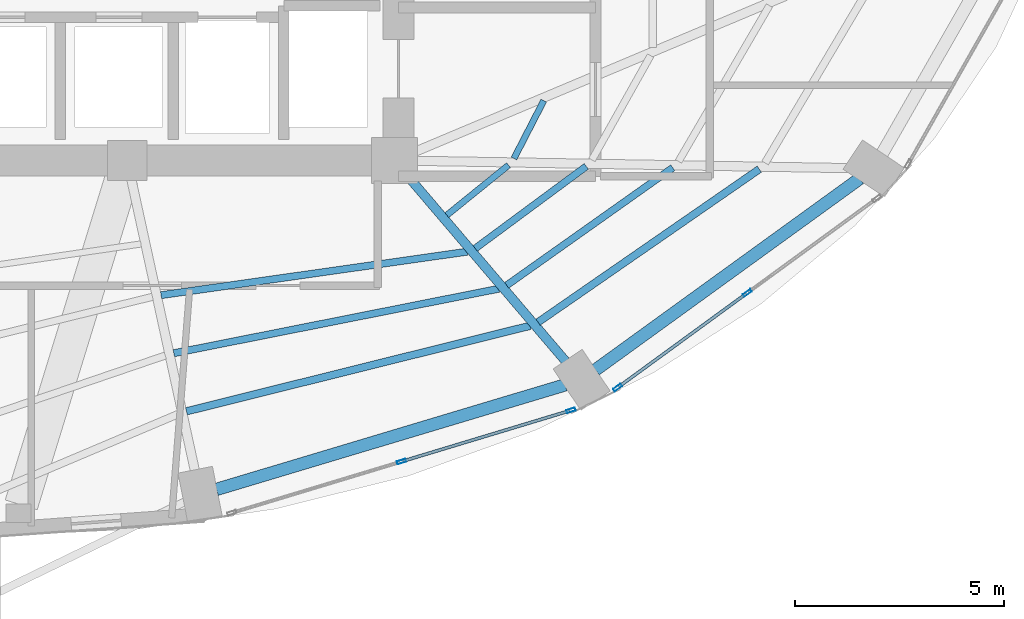
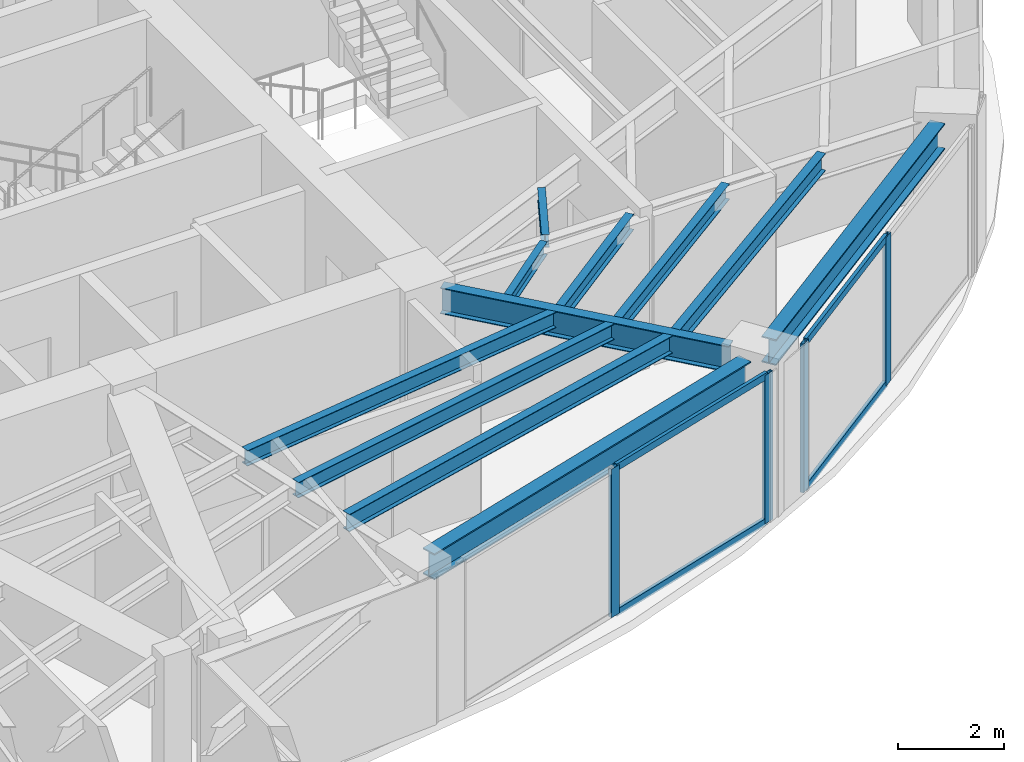
# One storey, part 10 of 23: 11 beams, 8 members, 2 elements without a shape of their own.
"""IFC4 building model written with IfcOpenShell, lengths in metres."""

from ifc_helpers import new_model, si_unit, direction, frame, origin, origin_2d, place, context, subcontext, project, spatial, hollow_rectangle, i_section, extrude, material, layer, layer_set, material_profile, profile_set, type_object, element, aggregate, save


model = new_model("IFC4")

# Units and contexts
model_context = context("Model", 3, precision=1e-05, world=origin(), true_north=direction((0.0, 1.0)))
body_context = subcontext(model_context, "Body", "Model", "MODEL_VIEW")
ifc_project = project(units=[si_unit("LENGTHUNIT", "METRE"), si_unit("AREAUNIT", "SQUARE_METRE"), si_unit("VOLUMEUNIT", "CUBIC_METRE"), si_unit("PLANEANGLEUNIT", "RADIAN"), si_unit("MASSUNIT", "GRAM", prefix="KILO")], contexts=[model_context])

# Site, building, storey
site_placement = place(None, origin())
site = spatial("IfcSite", under=ifc_project, at=site_placement, CompositionType="ELEMENT")
building_placement = place(site_placement, origin())
building = spatial("IfcBuilding", under=site, at=building_placement, Name="Lazwardi Medical Tower", CompositionType="ELEMENT")
storey_placement = place(building_placement, frame((0.0, 0.0, 85.39208984375)))
storey = spatial("IfcBuildingStorey", under=building, at=storey_placement, Name="L21", CompositionType="ELEMENT", Elevation=85.39208984375)

# Beams
ifc_material_1 = material(Name="Steel S355", Category="steel")
ifc_material_profile_1 = material_profile(ifc_material_1, i_section(OverallWidth=0.300048828125, OverallDepth=0.60009765625, WebThickness=0.015380859375, FlangeThickness=0.030029296875, at=origin_2d()), Name="HEB 600")
ifc_profile_set_1 = profile_set([ifc_material_profile_1], Name="Steel S355")
beam_type_1 = type_object("IfcBeamType", Name="BM-RB-Z2", PredefinedType="BEAM", material=ifc_profile_set_1)
beam_1_placement = place(storey_placement, frame((41.338134765625, 12.5205078125, 3.1279296875), z_axis=(0.957879438442, 0.287170648587, 0.0), x_axis=(-0.287170648587, 0.957879438442, 0.0)))
element("IfcBeam", 1, at=beam_1_placement, inside=storey, type_object=beam_type_1, Name="Ring beam RB-03 B01 L21", PredefinedType="BEAM", context=body_context, shape_type="SweptSolid", body=[
    extrude(i_section(OverallWidth=0.300048828125, OverallDepth=0.60009765625, WebThickness=0.015380859375, FlangeThickness=0.030029296875, at=origin_2d()), origin(), (0.0, 0.0, 1.0), 8.719970703125),
])
beam_2_placement = place(storey_placement, frame((50.415771484375, 15.3828125, 3.1279296875), z_axis=(0.810041907649, 0.586371987609, 0.0), x_axis=(-0.586371987609, 0.810041907649, 0.0)))
element("IfcBeam", 2, at=beam_2_placement, inside=storey, type_object=beam_type_1, Name="Ring beam RB-03 B02 L21", PredefinedType="BEAM", context=body_context, shape_type="SweptSolid", body=[
    extrude(i_section(OverallWidth=0.300048828125, OverallDepth=0.60009765625, WebThickness=0.015380859375, FlangeThickness=0.030029296875, at=origin_2d()), origin(), (0.0, 0.0, 1.0), 7.814208984375),
])
ifc_material_profile_2 = material_profile(ifc_material_1, i_section(OverallWidth=0.219970703125, OverallDepth=0.60009765625, WebThickness=0.011962890625, FlangeThickness=0.01904296875, at=origin_2d()), Name="IPE 600")
ifc_profile_set_2 = profile_set([ifc_material_profile_2], Name="Steel S355")
beam_type_2 = type_object("IfcBeamType", Name="BM-RG-W1", PredefinedType="BEAM", material=ifc_profile_set_2)
beam_3_placement = place(storey_placement, frame((49.707275390625, 15.583740234375, 3.1279296875), z_axis=(-0.648870567436, 0.760898801889, 0.0), x_axis=(-0.760898801889, -0.648870567436, 0.0)))
element("IfcBeam", 3, at=beam_3_placement, inside=storey, type_object=beam_type_2, Name="Radial girder RG-02 R02 L21", PredefinedType="BEAM", context=body_context, shape_type="SweptSolid", body=[
    extrude(i_section(OverallWidth=0.219970703125, OverallDepth=0.60009765625, WebThickness=0.011962890625, FlangeThickness=0.01904296875, at=origin_2d()), origin(), (0.0, 0.0, 1.0), 5.794677734375),
])
ifc_material_profile_3 = material_profile(ifc_material_1, i_section(OverallWidth=0.179931640625, OverallDepth=0.39990234375, WebThickness=0.008544921875, FlangeThickness=0.013427734375, at=origin_2d()), Name="IPE 400")
ifc_profile_set_3 = profile_set([ifc_material_profile_3], Name="Steel S355")
beam_type_3 = type_object("IfcBeamType", Name="BM-SJ-01", PredefinedType="JOIST", material=ifc_profile_set_3)
beam_4_placement = place(storey_placement, frame((40.618896484375, 14.390869140625, 3.22802734375), z_axis=(0.970400881943, 0.241499748081, 0.0), x_axis=(-0.241499748081, 0.970400881943, 0.0)))
element("IfcBeam", 4, at=beam_4_placement, inside=storey, type_object=beam_type_3, Name="Secondary joist SJ-01 R1 B01 L21", PredefinedType="JOIST", context=body_context, shape_type="SweptSolid", body=[
    extrude(i_section(OverallWidth=0.179931640625, OverallDepth=0.39990234375, WebThickness=0.008544921875, FlangeThickness=0.013427734375, at=origin_2d()), origin(), (0.0, 0.0, 1.0), 8.48583984375),
])
beam_5_placement = place(storey_placement, frame((49.04150390625, 16.525390625, 3.22802734375), z_axis=(0.822376339068, 0.568943896128, 0.0), x_axis=(-0.568943896128, 0.822376339068, 0.0)))
element("IfcBeam", 5, at=beam_5_placement, inside=storey, type_object=beam_type_3, Name="Secondary joist SJ-01 R1 B02 L21", PredefinedType="JOIST", context=body_context, shape_type="SweptSolid", body=[
    extrude(i_section(OverallWidth=0.179931640625, OverallDepth=0.39990234375, WebThickness=0.008544921875, FlangeThickness=0.013427734375, at=origin_2d()), origin(), (0.0, 0.0, 1.0), 6.44189453125),
])
ifc_material_profile_4 = material_profile(ifc_material_1, i_section(OverallWidth=0.169921875, OverallDepth=0.360107421875, WebThickness=0.008056640625, FlangeThickness=0.0126953125, at=origin_2d()), Name="IPE 360")
ifc_profile_set_4 = profile_set([ifc_material_profile_4], Name="Steel S355")
beam_type_4 = type_object("IfcBeamType", Name="BM-SJ-02", PredefinedType="JOIST", material=ifc_profile_set_4)
beam_6_placement = place(storey_placement, frame((40.315185546875, 15.7822265625, 3.247802734375), z_axis=(0.980878853282, 0.194619308352, 0.0), x_axis=(-0.194619308352, 0.980878853282, 0.0)))
element("IfcBeam", 6, at=beam_6_placement, inside=storey, type_object=beam_type_4, Name="Secondary joist SJ-02 R2 B01 L21", PredefinedType="JOIST", context=body_context, shape_type="SweptSolid", body=[
    extrude(i_section(OverallWidth=0.169921875, OverallDepth=0.360107421875, WebThickness=0.008056640625, FlangeThickness=0.0126953125, at=origin_2d()), origin(), (0.0, 0.0, 1.0), 7.93701171875),
])
beam_7_placement = place(storey_placement, frame((48.2890625, 17.408203125, 3.247802734375), z_axis=(0.816156371539, 0.577831097464, 0.0), x_axis=(-0.577831097464, 0.816156371539, 0.0)))
element("IfcBeam", 7, at=beam_7_placement, inside=storey, type_object=beam_type_4, Name="Secondary joist SJ-02 R2 B02 L21", PredefinedType="JOIST", context=body_context, shape_type="SweptSolid", body=[
    extrude(i_section(OverallWidth=0.169921875, OverallDepth=0.360107421875, WebThickness=0.008056640625, FlangeThickness=0.0126953125, at=origin_2d()), origin(), (0.0, 0.0, 1.0), 4.8740234375),
])
beam_8_placement = place(storey_placement, frame((40.011474609375, 17.1728515625, 3.247802734375), z_axis=(0.990067108571, 0.140595592128, 0.0), x_axis=(-0.140595592128, 0.990067108571, 0.0)))
element("IfcBeam", 8, at=beam_8_placement, inside=storey, type_object=beam_type_4, Name="Secondary joist SJ-02 R3 B01 L21", PredefinedType="JOIST", context=body_context, shape_type="SweptSolid", body=[
    extrude(i_section(OverallWidth=0.169921875, OverallDepth=0.360107421875, WebThickness=0.008056640625, FlangeThickness=0.0126953125, at=origin_2d()), origin(), (0.0, 0.0, 1.0), 7.409423828125),
])
beam_9_placement = place(storey_placement, frame((47.53564453125, 18.291748046875, 3.247802734375), z_axis=(0.804125525058, 0.594459536008, 0.0), x_axis=(-0.594459536008, 0.804125525058, 0.0)))
element("IfcBeam", 9, at=beam_9_placement, inside=storey, type_object=beam_type_4, Name="Secondary joist SJ-02 R3 B02 L21", PredefinedType="JOIST", context=body_context, shape_type="SweptSolid", body=[
    extrude(i_section(OverallWidth=0.169921875, OverallDepth=0.360107421875, WebThickness=0.008056640625, FlangeThickness=0.0126953125, at=origin_2d()), origin(), (0.0, 0.0, 1.0), 3.30810546875),
])
ifc_material_profile_5 = material_profile(ifc_material_1, i_section(OverallWidth=0.14990234375, OverallDepth=0.300048828125, WebThickness=0.007080078125, FlangeThickness=0.0107421875, at=origin_2d()), Name="IPE 300")
ifc_profile_set_5 = profile_set([ifc_material_profile_5], Name="Steel S355")
beam_type_5 = type_object("IfcBeamType", Name="BM-SJ-03", PredefinedType="JOIST", material=ifc_profile_set_5)
beam_10_placement = place(storey_placement, frame((46.85595703125, 19.089111328125, 3.27783203125), z_axis=(0.77695773322, 0.629552762515, 0.0), x_axis=(-0.629552762515, 0.77695773322, 0.0)))
element("IfcBeam", 10, at=beam_10_placement, inside=storey, type_object=beam_type_5, Name="Secondary joist SJ-03 R4 B02 L21", PredefinedType="JOIST", context=body_context, shape_type="SweptSolid", body=[
    extrude(i_section(OverallWidth=0.14990234375, OverallDepth=0.300048828125, WebThickness=0.007080078125, FlangeThickness=0.0107421875, at=origin_2d()), origin(), (0.0, 0.0, 1.0), 1.9013671875),
])
beam_11_placement = place(storey_placement, frame((48.462890625, 20.445556640625, 3.27783203125), z_axis=(0.457956589674, 0.888974556427, 0.0), x_axis=(-0.888974556427, 0.457956589674, 0.0)))
element("IfcBeam", 11, at=beam_11_placement, inside=storey, type_object=beam_type_5, Name="Secondary joist SJ-03 R4 B03 L21", PredefinedType="JOIST", context=body_context, shape_type="SweptSolid", body=[
    extrude(i_section(OverallWidth=0.14990234375, OverallDepth=0.300048828125, WebThickness=0.007080078125, FlangeThickness=0.0107421875, at=origin_2d()), origin(), (0.0, 0.0, 1.0), 1.558837890625),
])

# Curtain wall, members
ifc_material_2 = material(Name="Anodised bronze aluminium and solar control glazing", Category="aluminium")
ifc_layer = layer(ifc_material_2, 0.195068359375)
ifc_layer_set = layer_set([ifc_layer], Name="Anodised bronze aluminium and solar control glazing")
curtain_wall_type = type_object("IfcCurtainWallType", Name="CW-SYS-03", PredefinedType="NOTDEFINED", material=ifc_layer_set)
curtain_wall_1_placement = place(storey_placement, origin())
curtain_wall_1 = element("IfcCurtainWall", 12, at=curtain_wall_1_placement, inside=storey, type_object=curtain_wall_type, Name="L21 Unitised bronze curtain wall CW-03", PredefinedType="NOTDEFINED")
ifc_material_3 = material(Name="Anodised bronze aluminium", Category="aluminium")
ifc_material_profile_6 = material_profile(ifc_material_3, hollow_rectangle(XDim=0.074951171875, YDim=0.219970703125, WallThickness=0.00390625, at=origin_2d()), Name="ALU-MULLION 220x75x4")
ifc_profile_set_6 = profile_set([ifc_material_profile_6], Name="Anodised bronze aluminium")
member_type_1 = type_object("IfcMemberType", Name="CW-MUL-01", PredefinedType="MULLION", material=ifc_profile_set_6)
member_1_placement = place(storey_placement, frame((45.769287109375, 13.18701171875, 0.0), z_axis=(0.0, 0.0, 1.0), x_axis=(-0.28937381157, 0.957216170558, 0.0)))
member_1 = element("IfcMember", 13, at=member_1_placement, type_object=member_type_1, Name="CW-03 mullion 2", PredefinedType="MULLION", context=body_context, shape_type="SweptSolid", body=[
    extrude(hollow_rectangle(XDim=0.074951171875, YDim=0.219970703125, WallThickness=0.00390625, at=origin_2d()), origin(), (0.0, 0.0, 1.0), 3.427978515625),
])
member_2_placement = place(storey_placement, frame((49.828369140625, 14.4140625, 0.0), z_axis=(0.0, 0.0, 1.0), x_axis=(-0.28937381157, 0.957216170558, 0.0)))
member_2 = element("IfcMember", 14, at=member_2_placement, type_object=member_type_1, Name="CW-03 mullion 3", PredefinedType="MULLION", context=body_context, shape_type="SweptSolid", body=[
    extrude(hollow_rectangle(XDim=0.074951171875, YDim=0.219970703125, WallThickness=0.00390625, at=origin_2d()), origin(), (0.0, 0.0, 1.0), 3.427978515625),
])

curtain_wall_2_placement = place(storey_placement, origin())
curtain_wall_2 = element("IfcCurtainWall", 15, at=curtain_wall_2_placement, inside=storey, type_object=curtain_wall_type, Name="L21 Unitised bronze curtain wall CW-03", PredefinedType="NOTDEFINED")
member_3_placement = place(storey_placement, frame((50.947265625, 14.96044921875, 0.0), z_axis=(0.0, 0.0, 1.0), x_axis=(-0.589530882802, 0.807745837639, 0.0)))
member_3 = element("IfcMember", 16, at=member_3_placement, type_object=member_type_1, Name="CW-03 mullion 1", PredefinedType="MULLION", context=body_context, shape_type="SweptSolid", body=[
    extrude(hollow_rectangle(XDim=0.074951171875, YDim=0.219970703125, WallThickness=0.00390625, at=origin_2d()), origin(), (0.0, 0.0, 1.0), 3.427978515625),
])
member_4_placement = place(storey_placement, frame((54.051025390625, 17.225830078125, 0.0), z_axis=(0.0, 0.0, 1.0), x_axis=(-0.589530882802, 0.807745837639, 0.0)))
member_4 = element("IfcMember", 17, at=member_4_placement, type_object=member_type_1, Name="CW-03 mullion 2", PredefinedType="MULLION", context=body_context, shape_type="SweptSolid", body=[
    extrude(hollow_rectangle(XDim=0.074951171875, YDim=0.219970703125, WallThickness=0.00390625, at=origin_2d()), origin(), (0.0, 0.0, 1.0), 3.427978515625),
])

# Member
ifc_material_profile_7 = material_profile(ifc_material_3, hollow_rectangle(XDim=0.074951171875, YDim=0.159912109375, WallThickness=0.00390625, at=origin_2d()), Name="ALU-TRANSOM 160x75x4")
ifc_profile_set_7 = profile_set([ifc_material_profile_7], Name="Anodised bronze aluminium")
member_type_2 = type_object("IfcMemberType", Name="CW-TRN-01", PredefinedType="USERDEFINED", material=ifc_profile_set_7)
member_5_placement = place(storey_placement, frame((45.80517578125, 13.19775390625, 0.037353515625), z_axis=(0.957220865985, 0.289358279168, 0.0), x_axis=(-0.289358279168, 0.957220865985, 0.0)))
member_5 = element("IfcMember", 18, at=member_5_placement, type_object=member_type_2, Name="CW-03 transom 2.1", ObjectType="TRANSOM", PredefinedType="USERDEFINED", context=body_context, shape_type="SweptSolid", body=[
    extrude(hollow_rectangle(XDim=0.074951171875, YDim=0.159912109375, WallThickness=0.00390625, at=origin_2d()), origin(), (0.0, 0.0, 1.0), 4.16552734375),
])

member_6_placement = place(storey_placement, frame((45.80517578125, 13.19775390625, 3.390380859375), z_axis=(0.957220865985, 0.289358279168, 0.0), x_axis=(-0.289358279168, 0.957220865985, 0.0)))
member_6 = element("IfcMember", 19, at=member_6_placement, type_object=member_type_2, Name="CW-03 transom 2.2", ObjectType="TRANSOM", PredefinedType="USERDEFINED", context=body_context, shape_type="SweptSolid", body=[
    extrude(hollow_rectangle(XDim=0.074951171875, YDim=0.159912109375, WallThickness=0.00390625, at=origin_2d()), origin(), (0.0, 0.0, 1.0), 4.16552734375),
])

aggregate(curtain_wall_1, [member_1, member_2, member_5, member_6])

member_7_placement = place(storey_placement, frame((50.9775390625, 14.982421875, 0.037353515625), z_axis=(0.807731734271, 0.589550206049, 0.0), x_axis=(-0.589550206049, 0.807731734271, 0.0)))
member_7 = element("IfcMember", 20, at=member_7_placement, type_object=member_type_2, Name="CW-03 transom 1.1", ObjectType="TRANSOM", PredefinedType="USERDEFINED", context=body_context, shape_type="SweptSolid", body=[
    extrude(hollow_rectangle(XDim=0.074951171875, YDim=0.159912109375, WallThickness=0.00390625, at=origin_2d()), origin(), (0.0, 0.0, 1.0), 3.767578125),
])

member_8_placement = place(storey_placement, frame((50.9775390625, 14.982421875, 3.390380859375), z_axis=(0.807731734271, 0.589550206049, 0.0), x_axis=(-0.589550206049, 0.807731734271, 0.0)))
member_8 = element("IfcMember", 21, at=member_8_placement, type_object=member_type_2, Name="CW-03 transom 1.2", ObjectType="TRANSOM", PredefinedType="USERDEFINED", context=body_context, shape_type="SweptSolid", body=[
    extrude(hollow_rectangle(XDim=0.074951171875, YDim=0.159912109375, WallThickness=0.00390625, at=origin_2d()), origin(), (0.0, 0.0, 1.0), 3.767578125),
])

aggregate(curtain_wall_2, [member_3, member_4, member_7, member_8])

save(model, "model.ifc")
